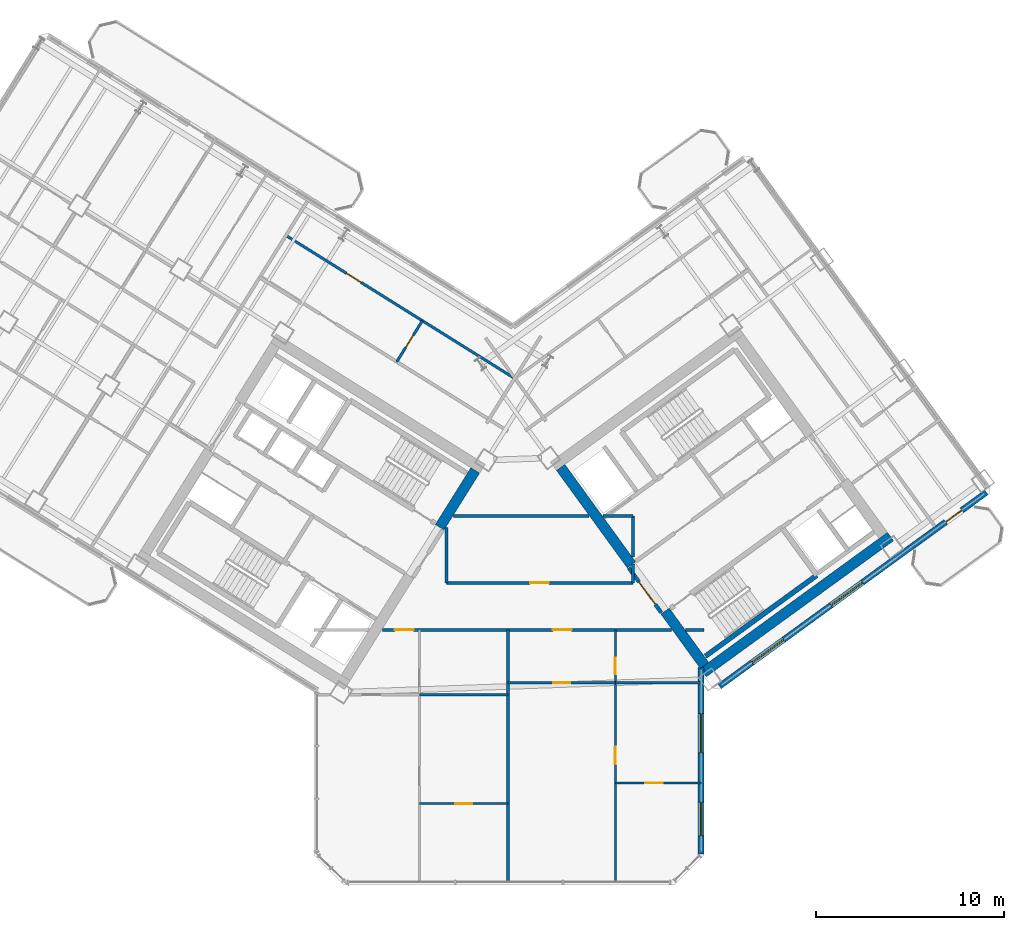
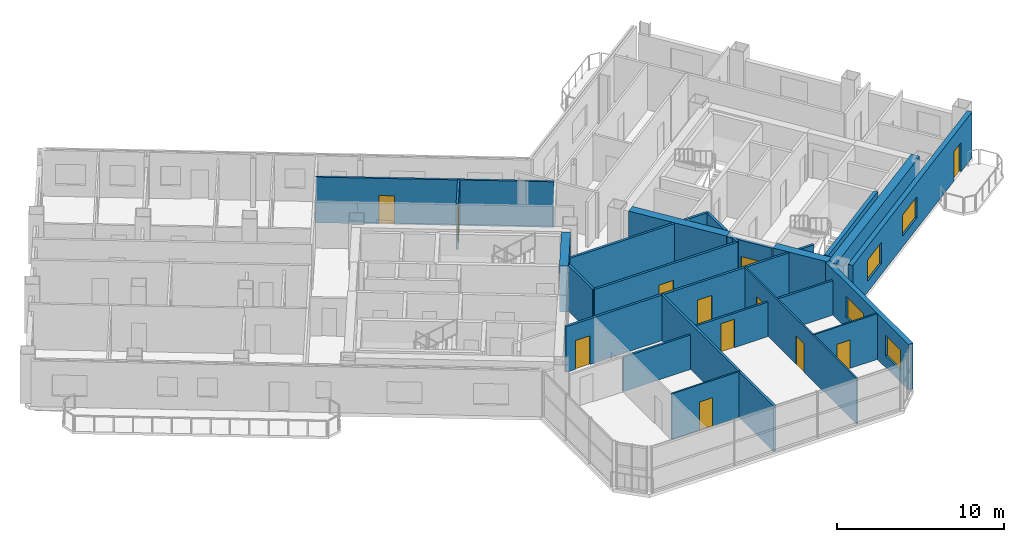
# One storey, part 13 of 21: 25 walls, 12 doors, 4 windows, 16 openings.
"""IFC4 building model written with IfcOpenShell, lengths in metres."""

from ifc_helpers import new_model, si_unit, direction, frame, frame_2d, origin, place, context, subcontext, project, spatial, rectangle, extrude, source, transform, mapped, material, layer, layer_set, type_object, element, fill, save


model = new_model("IFC4")

# Units and contexts
model_context = context("Model", 3, precision=1e-05, world=origin(), true_north=direction((0.0, 1.0)))
body_context = subcontext(model_context, "Body", "Model", "MODEL_VIEW")
ifc_project = project(units=[si_unit("LENGTHUNIT", "METRE"), si_unit("AREAUNIT", "SQUARE_METRE"), si_unit("VOLUMEUNIT", "CUBIC_METRE"), si_unit("PLANEANGLEUNIT", "RADIAN"), si_unit("MASSUNIT", "GRAM", prefix="KILO")], contexts=[model_context])

# Site, building, storey
site_placement = place(None, origin())
site = spatial("IfcSite", under=ifc_project, at=site_placement, CompositionType="ELEMENT")
building_placement = place(site_placement, origin())
building = spatial("IfcBuilding", under=site, at=building_placement, Name="Tlacorven Tower", CompositionType="ELEMENT")
storey_placement = place(building_placement, frame((0.0, 0.0, 119.699951171875)))
storey = spatial("IfcBuildingStorey", under=building, at=storey_placement, Name="L30", CompositionType="ELEMENT", Elevation=119.699951171875)

# Walls
ifc_material_1 = material(Name="Concrete C60/75", Category="concrete")
ifc_layer_1 = layer(ifc_material_1, 0.550048828125)
ifc_layer_set_1 = layer_set([ifc_layer_1], Name="Concrete C60/75")
wall_type_1 = type_object("IfcWallType", Name="WL-COR-550", PredefinedType="SHEAR", material=ifc_layer_set_1)
wall_1_placement = place(storey_placement, frame((40.194091796875, 23.92236328125, 0.0), z_axis=(0.0, 0.0, 1.0), x_axis=(-0.529888438328, -0.848067357541, 0.0)))
element("IfcWall", 1, at=wall_1_placement, inside=storey, type_object=wall_type_1, Name="L30 W core end wall E1.1", PredefinedType="SHEAR", context=body_context, shape_type="SweptSolid", body=[
    extrude(rectangle(XDim=3.574951171875, YDim=0.550048828125, at=frame_2d((1.78759765625, 0.0))), origin(), (0.0, 0.0, 1.0), 3.35009765625),
])
wall_2_placement = place(storey_placement, frame((52.35888671875, 13.1396484375, 0.0), z_axis=(0.0, 0.0, 1.0), x_axis=(0.809014896919, 0.587788139183, 0.0)))
element("IfcWall", 2, at=wall_2_placement, inside=storey, type_object=wall_type_1, Name="L30 E core shear wall S1", PredefinedType="SHEAR", context=body_context, shape_type="SweptSolid", body=[
    extrude(rectangle(XDim=12.340087890625, YDim=0.550048828125, at=frame_2d((6.169921875, 0.0))), origin(), (0.0, 0.0, 1.0), 3.35009765625),
])
wall_3_placement = place(storey_placement, frame((52.419677734375, 13.52392578125, 0.0), z_axis=(0.0, 0.0, 1.0), x_axis=(-0.587802113096, 0.809004744015, 0.0)))
element("IfcWall", 3, at=wall_3_placement, inside=storey, type_object=wall_type_1, Name="L30 E core end wall E1.1", PredefinedType="SHEAR", context=body_context, shape_type="SweptSolid", body=[
    extrude(rectangle(XDim=3.574951171875, YDim=0.550048828125, at=frame_2d((1.78759765625, 0.0))), origin(), (0.0, 0.0, 1.0), 3.35009765625),
])
wall_4_placement = place(storey_placement, frame((48.525634765625, 18.883544921875, 0.0), z_axis=(0.0, 0.0, 1.0), x_axis=(-0.587764933797, 0.809031756236, 0.0)))
element("IfcWall", 4, at=wall_4_placement, inside=storey, type_object=wall_type_1, Name="L30 E core end wall E1.2", PredefinedType="SHEAR", context=body_context, shape_type="SweptSolid", body=[
    extrude(rectangle(XDim=6.425048828125, YDim=0.550048828125, at=frame_2d((3.21240234375, 0.0))), origin(), (0.0, 0.0, 1.0), 3.35009765625),
])

# Wall, openings, doors
ifc_material_2 = material(Name="Gypsum plasterboard acoustic partition", Category="gypsum")
ifc_layer_2 = layer(ifc_material_2, 0.159912109375)
ifc_layer_set_2 = layer_set([ifc_layer_2], Name="Gypsum plasterboard acoustic partition")
wall_type_2 = type_object("IfcWallType", Name="WL-DEM-160", PredefinedType="PARTITIONING", material=ifc_layer_set_2)
wall_5_placement = place(storey_placement, frame((35.2373046875, 15.419921875, 0.0), z_axis=(0.0, 0.0, 1.0), x_axis=(1.0, 0.0, 0.0)))
wall_5 = element("IfcWall", 5, at=wall_5_placement, inside=storey, type_object=wall_type_2, Name="L30 Knuckle Corridor South Wall", PredefinedType="PARTITIONING", context=body_context, shape_type="SweptSolid", body=[
    extrude(rectangle(XDim=15.431640625, YDim=0.159912109375, at=frame_2d((7.7158203125, 0.0))), origin(), (0.0, 0.0, 1.0), 3.340087890625),
])
opening_1_placement = place(wall_5_placement, frame((0.673583984375, 0.0, 0.0)))
opening_1 = element("IfcOpeningElement", 6, at=opening_1_placement, cuts=wall_5, Name="Opening D11", PredefinedType="OPENING", context=body_context, shape_type="SweptSolid", body=[
    extrude(rectangle(XDim=1.0, YDim=2.10009765625, at=frame_2d((0.5, 1.050048828125))), frame((0.0, 0.08984375, 0.0), z_axis=(0.0, -1.0, 0.0), x_axis=(1.0, 0.0, 0.0)), (0.0, 0.0, 1.0), 0.179931640625),
])
opening_2_placement = place(wall_5_placement, frame((9.093994140625, 0.0, 0.0)))
opening_2 = element("IfcOpeningElement", 7, at=opening_2_placement, cuts=wall_5, Name="Opening D11", PredefinedType="OPENING", context=body_context, shape_type="SweptSolid", body=[
    extrude(rectangle(XDim=1.0, YDim=2.10009765625, at=frame_2d((0.5, 1.050048828125))), frame((0.0, 0.08984375, 0.0), z_axis=(0.0, -1.0, 0.0), x_axis=(1.0, 0.0, 0.0)), (0.0, 0.0, 1.0), 0.179931640625),
])
ifc_material_3 = material(Name="Fire-rated steel door assembly", Category="steel")
door_type_1 = type_object("IfcDoorType", Name="DR-FLT-FD60-1000", OperationType="NOTDEFINED", PredefinedType="DOOR", material=ifc_material_3)
shared_shape_1 = source(origin(), body_context, "Body", "SweptSolid", [
    extrude(rectangle(XDim=1.0, YDim=2.10009765625, at=frame_2d((0.5, 1.050048828125))), frame((0.0, 0.02490234375, 0.0), z_axis=(0.0, -1.0, 0.0), x_axis=(1.0, 0.0, 0.0)), (0.0, 0.0, 1.0), 0.050048828125),
])
door_1_placement = place(opening_1_placement, frame((1.0, 0.0, 0.0), z_axis=(0.0, 0.0, 1.0), x_axis=(-1.0, 0.0, 0.0)))
door_1 = element("IfcDoor", 8, at=door_1_placement, inside=storey, type_object=door_type_1, Name="L30 door 048", OperationType="SINGLE_SWING_LEFT", OverallHeight=2.10009765625, OverallWidth=1.0, PredefinedType="DOOR", context=body_context, shape_type="MappedRepresentation", body=[
    mapped(shared_shape_1, transform((0.0, 0.0, 0.0), scale=1.0)),
])
fill(opening_1, door_1)
door_2_placement = place(opening_2_placement, frame((1.0, 0.0, 0.0), z_axis=(0.0, 0.0, 1.0), x_axis=(-1.0, 0.0, 0.0)))
door_2 = element("IfcDoor", 9, at=door_2_placement, inside=storey, type_object=door_type_1, Name="L30 door 053", OperationType="SINGLE_SWING_RIGHT", OverallHeight=2.10009765625, OverallWidth=1.0, PredefinedType="DOOR", context=body_context, shape_type="MappedRepresentation", body=[
    mapped(shared_shape_1, transform((0.0, 0.0, 0.0), scale=1.0)),
])
fill(opening_2, door_2)

# Wall
wall_6_placement = place(storey_placement, frame((51.41552734375, 15.419921875, 0.0), z_axis=(0.0, 0.0, 1.0), x_axis=(1.0, 0.0, 0.0)))
element("IfcWall", 10, at=wall_6_placement, inside=storey, type_object=wall_type_2, Name="L30 Knuckle Corridor South Wall", PredefinedType="PARTITIONING", context=body_context, shape_type="SweptSolid", body=[
    extrude(rectangle(XDim=0.984375, YDim=0.159912109375, at=frame_2d((0.4921875, 0.0))), origin(), (0.0, 0.0, 1.0), 3.340087890625),
])

# Wall, opening, door
wall_7_placement = place(storey_placement, frame((38.64990234375, 17.929931640625, 0.0), z_axis=(0.0, 0.0, 1.0), x_axis=(1.0, 0.0, 0.0)))
wall_7 = element("IfcWall", 11, at=wall_7_placement, inside=storey, type_object=wall_type_2, Name="L30 partition 72", PredefinedType="PARTITIONING", context=body_context, shape_type="SweptSolid", body=[
    extrude(rectangle(XDim=9.9501953125, YDim=0.159912109375, at=frame_2d((4.97509765625, 0.0))), origin(), (0.0, 0.0, 1.0), 3.340087890625),
])
opening_3_placement = place(wall_7_placement, frame((4.47509765625, 0.0, 0.0)))
opening_3 = element("IfcOpeningElement", 12, at=opening_3_placement, cuts=wall_7, Name="Opening D11", PredefinedType="OPENING", context=body_context, shape_type="SweptSolid", body=[
    extrude(rectangle(XDim=1.0, YDim=2.10009765625, at=frame_2d((0.5, 1.050048828125))), frame((0.0, 0.08984375, 0.0), z_axis=(0.0, -1.0, 0.0), x_axis=(1.0, 0.0, 0.0)), (0.0, 0.0, 1.0), 0.179931640625),
])
door_3_placement = place(opening_3_placement, origin())
door_3 = element("IfcDoor", 13, at=door_3_placement, inside=storey, type_object=door_type_1, Name="L30 door 043", OperationType="SINGLE_SWING_RIGHT", OverallHeight=2.10009765625, OverallWidth=1.0, PredefinedType="DOOR", context=body_context, shape_type="MappedRepresentation", body=[
    mapped(shared_shape_1, transform((0.0, 0.0, 0.0), scale=1.0)),
])
fill(opening_3, door_3)

# Walls
wall_8_placement = place(storey_placement, frame((38.64990234375, 17.929931640625, 0.0), z_axis=(0.0, 0.0, 1.0), x_axis=(0.0, 1.0, 0.0)))
element("IfcWall", 14, at=wall_8_placement, inside=storey, type_object=wall_type_2, Name="L30 partition 73", PredefinedType="PARTITIONING", context=body_context, shape_type="SweptSolid", body=[
    extrude(rectangle(XDim=2.951416015625, YDim=0.159912109375, at=frame_2d((1.4755859375, 0.0))), origin(), (0.0, 0.0, 1.0), 3.340087890625),
])
wall_9_placement = place(storey_placement, frame((48.60009765625, 17.929931640625, 0.0), z_axis=(0.0, 0.0, 1.0), x_axis=(0.0, 1.0, 0.0)))
element("IfcWall", 15, at=wall_9_placement, inside=storey, type_object=wall_type_2, Name="L30 partition 74", PredefinedType="PARTITIONING", context=body_context, shape_type="SweptSolid", body=[
    extrude(rectangle(XDim=0.99267578125, YDim=0.159912109375, at=frame_2d((0.496337890625, 0.0))), origin(), (0.0, 0.0, 1.0), 3.340087890625),
])
wall_10_placement = place(storey_placement, frame((48.60009765625, 19.295166015625, 0.0), z_axis=(0.0, 0.0, 1.0), x_axis=(0.0, 1.0, 0.0)))
element("IfcWall", 16, at=wall_10_placement, inside=storey, type_object=wall_type_2, Name="L30 partition 74", PredefinedType="PARTITIONING", context=body_context, shape_type="SweptSolid", body=[
    extrude(rectangle(XDim=2.204833984375, YDim=0.159912109375, at=frame_2d((1.1025390625, 0.0))), origin(), (0.0, 0.0, 1.0), 3.340087890625),
])
wall_11_placement = place(storey_placement, frame((39.03662109375, 21.5, 0.0), z_axis=(0.0, 0.0, 1.0), x_axis=(1.0, 0.0, 0.0)))
element("IfcWall", 17, at=wall_11_placement, inside=storey, type_object=wall_type_2, Name="L30 partition 75", PredefinedType="PARTITIONING", context=body_context, shape_type="SweptSolid", body=[
    extrude(rectangle(XDim=7.21484375, YDim=0.159912109375, at=frame_2d((3.607421875, 0.0))), origin(), (0.0, 0.0, 1.0), 3.340087890625),
])
wall_12_placement = place(storey_placement, frame((46.998046875, 21.5, 0.0), z_axis=(0.0, 0.0, 1.0), x_axis=(1.0, 0.0, 0.0)))
element("IfcWall", 18, at=wall_12_placement, inside=storey, type_object=wall_type_2, Name="L30 partition 75", PredefinedType="PARTITIONING", context=body_context, shape_type="SweptSolid", body=[
    extrude(rectangle(XDim=1.60205078125, YDim=0.159912109375, at=frame_2d((0.801025390625, 0.0))), origin(), (0.0, 0.0, 1.0), 3.340087890625),
])
wall_13_placement = place(storey_placement, frame((41.949951171875, 1.9599609375, 0.0), z_axis=(0.0, 0.0, 1.0), x_axis=(0.0, 1.0, 0.0)))
element("IfcWall", 19, at=wall_13_placement, inside=storey, type_object=wall_type_2, Name="L30 Knuckle Demising Wall 1", PredefinedType="PARTITIONING", context=body_context, shape_type="SweptSolid", body=[
    extrude(rectangle(XDim=13.4599609375, YDim=0.159912109375, at=frame_2d((6.72998046875, 0.0))), origin(), (0.0, 0.0, 1.0), 3.340087890625),
])

# Wall, openings, door, windows
ifc_material_4 = material(Name="Precast concrete C45/55", Category="concrete")
ifc_layer_3 = layer(ifc_material_4, 0.320068359375)
ifc_layer_set_3 = layer_set([ifc_layer_3], Name="Precast concrete C45/55")
wall_type_3 = type_object("IfcWallType", Name="WL-EXT-320", PredefinedType="STANDARD", material=ifc_layer_set_3)
wall_14_placement = place(storey_placement, frame((67.45361328125, 22.746826171875, 0.0), z_axis=(0.0, 0.0, 1.0), x_axis=(-0.809021120468, -0.587779573171, 0.0)))
wall_14 = element("IfcWall", 20, at=wall_14_placement, inside=storey, type_object=wall_type_3, Name="L30 Masonry-Frame Recessed Facade Wall 6", PredefinedType="STANDARD", context=body_context, shape_type="SweptSolid", body=[
    extrude(rectangle(XDim=17.587646484375, YDim=0.320068359375, at=frame_2d((8.7939453125, 0.0))), origin(), (0.0, 0.0, 1.0), 3.35009765625),
])
opening_4_placement = place(wall_14_placement, frame((1.623779296875, 0.0, 0.0)))
opening_4 = element("IfcOpeningElement", 21, at=opening_4_placement, cuts=wall_14, Name="Opening D06", PredefinedType="OPENING", context=body_context, shape_type="SweptSolid", body=[
    extrude(rectangle(XDim=1.050048828125, YDim=2.14990234375, at=frame_2d((0.52490234375, 1.074951171875))), frame((0.0, 0.169921875, 0.0), z_axis=(0.0, -1.0, 0.0), x_axis=(1.0, 0.0, 0.0)), (0.0, 0.0, 1.0), 0.340087890625),
])
opening_5_placement = place(wall_14_placement, frame((8.143798828125, 0.0, 0.800048828125)))
opening_5 = element("IfcOpeningElement", 22, at=opening_5_placement, cuts=wall_14, Name="Opening WN04", PredefinedType="OPENING", context=body_context, shape_type="SweptSolid", body=[
    extrude(rectangle(XDim=2.10009765625, YDim=1.550048828125, at=frame_2d((1.050048828125, 0.77490234375))), frame((0.0, 0.169921875, 0.0), z_axis=(0.0, -1.0, 0.0), x_axis=(1.0, 0.0, 0.0)), (0.0, 0.0, 1.0), 0.340087890625),
])
opening_6_placement = place(wall_14_placement, frame((13.34375, 0.0, 0.800048828125)))
opening_6 = element("IfcOpeningElement", 23, at=opening_6_placement, cuts=wall_14, Name="Opening WN04", PredefinedType="OPENING", context=body_context, shape_type="SweptSolid", body=[
    extrude(rectangle(XDim=2.10009765625, YDim=1.550048828125, at=frame_2d((1.050048828125, 0.77490234375))), frame((0.0, 0.169921875, 0.0), z_axis=(0.0, -1.0, 0.0), x_axis=(1.0, 0.0, 0.0)), (0.0, 0.0, 1.0), 0.340087890625),
])
ifc_material_5 = material(Name="Powder-coated aluminium and timber door", Category="wood")
door_type_2 = type_object("IfcDoorType", Name="DR-EXT-BALC-1050", OperationType="NOTDEFINED", PredefinedType="DOOR", material=ifc_material_5)
shared_shape_2 = source(origin(), body_context, "Body", "SweptSolid", [
    extrude(rectangle(XDim=1.050048828125, YDim=2.14990234375, at=frame_2d((0.52490234375, 1.074951171875))), frame((0.0, 0.02490234375, 0.0), z_axis=(0.0, -1.0, 0.0), x_axis=(1.0, 0.0, 0.0)), (0.0, 0.0, 1.0), 0.050048828125),
])
door_4_placement = place(opening_4_placement, origin())
door_4 = element("IfcDoor", 24, at=door_4_placement, inside=storey, type_object=door_type_2, Name="L30 Outdoor Access Door BAL-L30-E-OUT", OperationType="SINGLE_SWING_LEFT", OverallHeight=2.14990234375, OverallWidth=1.050048828125, PredefinedType="DOOR", context=body_context, shape_type="MappedRepresentation", body=[
    mapped(shared_shape_2, transform((0.0, 0.0, 0.0), scale=1.0)),
])
fill(opening_4, door_4)
ifc_material_6 = material(Name="Dark solar low-E double glazing in anodised aluminium frame", Category="aluminium")
window_type_1 = type_object("IfcWindowType", Name="WN-APT-2100X1750", PartitioningType="SINGLE_PANEL", PredefinedType="WINDOW", material=ifc_material_6)
shared_shape_3 = source(origin(), body_context, "Body", "SweptSolid", [
    extrude(rectangle(XDim=2.10009765625, YDim=1.550048828125, at=frame_2d((1.050048828125, 0.77490234375))), frame((0.0, 0.030029296875, 0.0), z_axis=(0.0, -1.0, 0.0), x_axis=(1.0, 0.0, 0.0)), (0.0, 0.0, 1.0), 0.06005859375),
])
window_1_placement = place(opening_5_placement, origin())
window_1 = element("IfcWindow", 25, at=window_1_placement, inside=storey, type_object=window_type_1, Name="L30 Recessed Masonry-Frame Window L30-06.1", OverallHeight=1.550048828125, OverallWidth=2.10009765625, PartitioningType="SINGLE_PANEL", PredefinedType="WINDOW", context=body_context, shape_type="MappedRepresentation", body=[
    mapped(shared_shape_3, transform((0.0, 0.0, 0.0), scale=1.0)),
])
fill(opening_5, window_1)
window_2_placement = place(opening_6_placement, origin())
window_2 = element("IfcWindow", 26, at=window_2_placement, inside=storey, type_object=window_type_1, Name="L30 Recessed Masonry-Frame Window L30-06.2", OverallHeight=1.550048828125, OverallWidth=2.10009765625, PartitioningType="SINGLE_PANEL", PredefinedType="WINDOW", context=body_context, shape_type="MappedRepresentation", body=[
    mapped(shared_shape_3, transform((0.0, 0.0, 0.0), scale=1.0)),
])
fill(opening_6, window_2)

# Wall, openings, windows
wall_15_placement = place(storey_placement, frame((52.239990234375, 13.4140625, 0.0), z_axis=(0.0, 0.0, 1.0), x_axis=(0.0, -1.0, 0.0)))
wall_15 = element("IfcWall", 27, at=wall_15_placement, inside=storey, type_object=wall_type_3, Name="L30 Masonry-Frame Recessed Facade Wall 7", PredefinedType="STANDARD", context=body_context, shape_type="SweptSolid", body=[
    extrude(rectangle(XDim=9.94775390625, YDim=0.320068359375, at=frame_2d((4.973876953125, 0.0))), origin(), (0.0, 0.0, 1.0), 3.35009765625),
])
opening_7_placement = place(wall_15_placement, frame((2.4599609375, 0.0, 0.800048828125)))
opening_7 = element("IfcOpeningElement", 28, at=opening_7_placement, cuts=wall_15, Name="Opening WN04", PredefinedType="OPENING", context=body_context, shape_type="SweptSolid", body=[
    extrude(rectangle(XDim=2.10009765625, YDim=1.550048828125, at=frame_2d((1.050048828125, 0.77490234375))), frame((0.0, 0.169921875, 0.0), z_axis=(0.0, -1.0, 0.0), x_axis=(1.0, 0.0, 0.0)), (0.0, 0.0, 1.0), 0.340087890625),
])
opening_8_placement = place(wall_15_placement, frame((7.183349609375, 0.0, 0.85009765625)))
opening_8 = element("IfcOpeningElement", 29, at=opening_8_placement, cuts=wall_15, Name="Opening WN01", PredefinedType="OPENING", context=body_context, shape_type="SweptSolid", body=[
    extrude(rectangle(XDim=1.800048828125, YDim=1.5, at=frame_2d((0.89990234375, 0.75))), frame((0.0, 0.169921875, 0.0), z_axis=(0.0, -1.0, 0.0), x_axis=(1.0, 0.0, 0.0)), (0.0, 0.0, 1.0), 0.340087890625),
])
window_3_placement = place(opening_7_placement, origin())
window_3 = element("IfcWindow", 30, at=window_3_placement, inside=storey, type_object=window_type_1, Name="L30 Recessed Masonry-Frame Window L30-07.1", OverallHeight=1.550048828125, OverallWidth=2.10009765625, PartitioningType="SINGLE_PANEL", PredefinedType="WINDOW", context=body_context, shape_type="MappedRepresentation", body=[
    mapped(shared_shape_3, transform((0.0, 0.0, 0.0), scale=1.0)),
])
fill(opening_7, window_3)
window_type_2 = type_object("IfcWindowType", Name="WN-APT-1800X1650", PartitioningType="SINGLE_PANEL", PredefinedType="WINDOW", material=ifc_material_6)
shared_shape_4 = source(origin(), body_context, "Body", "SweptSolid", [
    extrude(rectangle(XDim=1.800048828125, YDim=1.5, at=frame_2d((0.89990234375, 0.75))), frame((0.0, 0.030029296875, 0.0), z_axis=(0.0, -1.0, 0.0), x_axis=(1.0, 0.0, 0.0)), (0.0, 0.0, 1.0), 0.06005859375),
])
window_4_placement = place(opening_8_placement, origin())
window_4 = element("IfcWindow", 31, at=window_4_placement, inside=storey, type_object=window_type_2, Name="L30 Recessed Masonry-Frame Window L30-07.2", OverallHeight=1.5, OverallWidth=1.800048828125, PartitioningType="SINGLE_PANEL", PredefinedType="WINDOW", context=body_context, shape_type="MappedRepresentation", body=[
    mapped(shared_shape_4, transform((0.0, 0.0, 0.0), scale=1.0)),
])
fill(opening_8, window_4)

# Wall, opening, door
ifc_material_7 = material(Name="Gypsum plasterboard partition", Category="gypsum")
ifc_layer_4 = layer(ifc_material_7, 0.110107421875)
ifc_layer_set_4 = layer_set([ifc_layer_4], Name="Gypsum plasterboard partition")
wall_type_4 = type_object("IfcWallType", Name="WL-INT-110", PredefinedType="PARTITIONING", material=ifc_layer_set_4)
wall_16_placement = place(storey_placement, frame((37.221923828125, 6.14990234375, 0.0), z_axis=(0.0, 0.0, 1.0), x_axis=(1.0, 0.0, 0.0)))
wall_16 = element("IfcWall", 32, at=wall_16_placement, inside=storey, type_object=wall_type_4, Name="L30 partition 81", PredefinedType="PARTITIONING", context=body_context, shape_type="SweptSolid", body=[
    extrude(rectangle(XDim=4.72802734375, YDim=0.110107421875, at=frame_2d((2.364013671875, 0.0))), origin(), (0.0, 0.0, 1.0), 3.340087890625),
])
opening_9_placement = place(wall_16_placement, frame((1.904052734375, 0.0, 0.0)))
opening_9 = element("IfcOpeningElement", 33, at=opening_9_placement, cuts=wall_16, Name="Opening D12", PredefinedType="OPENING", context=body_context, shape_type="SweptSolid", body=[
    extrude(rectangle(XDim=0.919921875, YDim=2.080078125, at=frame_2d((0.4599609375, 1.0400390625))), frame((0.0, 0.06494140625, 0.0), z_axis=(0.0, -1.0, 0.0), x_axis=(1.0, 0.0, 0.0)), (0.0, 0.0, 1.0), 0.130126953125),
])
door_type_3 = type_object("IfcDoorType", Name="DR-INT-ROOM-0920", OperationType="NOTDEFINED", PredefinedType="DOOR", material=ifc_material_5)
shared_shape_5 = source(origin(), body_context, "Body", "SweptSolid", [
    extrude(rectangle(XDim=0.919921875, YDim=2.080078125, at=frame_2d((0.4599609375, 1.0400390625))), frame((0.0, 0.02490234375, 0.0), z_axis=(0.0, -1.0, 0.0), x_axis=(1.0, 0.0, 0.0)), (0.0, 0.0, 1.0), 0.050048828125),
])
door_5_placement = place(opening_9_placement, origin())
door_5 = element("IfcDoor", 34, at=door_5_placement, inside=storey, type_object=door_type_3, Name="L30 door 047", OperationType="SINGLE_SWING_RIGHT", OverallHeight=2.080078125, OverallWidth=0.919921875, PredefinedType="DOOR", context=body_context, shape_type="MappedRepresentation", body=[
    mapped(shared_shape_5, transform((0.0, 0.0, 0.0), scale=1.0)),
])
fill(opening_9, door_5)

# Wall, openings, doors
wall_17_placement = place(storey_placement, frame((47.6630859375, 1.9599609375, 0.0), z_axis=(0.0, 0.0, 1.0), x_axis=(0.0, 1.0, 0.0)))
wall_17 = element("IfcWall", 35, at=wall_17_placement, inside=storey, type_object=wall_type_4, Name="L30 partition 82", PredefinedType="PARTITIONING", context=body_context, shape_type="SweptSolid", body=[
    extrude(rectangle(XDim=13.4599609375, YDim=0.110107421875, at=frame_2d((6.72998046875, 0.0))), origin(), (0.0, 0.0, 1.0), 3.340087890625),
])
opening_10_placement = place(wall_17_placement, frame((6.300048828125, 0.0, 0.0)))
opening_10 = element("IfcOpeningElement", 36, at=opening_10_placement, cuts=wall_17, Name="Opening D12", PredefinedType="OPENING", context=body_context, shape_type="SweptSolid", body=[
    extrude(rectangle(XDim=0.919921875, YDim=2.080078125, at=frame_2d((0.4599609375, 1.0400390625))), frame((0.0, 0.06494140625, 0.0), z_axis=(0.0, -1.0, 0.0), x_axis=(1.0, 0.0, 0.0)), (0.0, 0.0, 1.0), 0.130126953125),
])
opening_11_placement = place(wall_17_placement, frame((11.10009765625, 0.0, 0.0)))
opening_11 = element("IfcOpeningElement", 37, at=opening_11_placement, cuts=wall_17, Name="Opening D13", PredefinedType="OPENING", context=body_context, shape_type="SweptSolid", body=[
    extrude(rectangle(XDim=0.8798828125, YDim=2.080078125, at=frame_2d((0.43994140625, 1.0400390625))), frame((0.0, 0.06494140625, 0.0), z_axis=(0.0, -1.0, 0.0), x_axis=(1.0, 0.0, 0.0)), (0.0, 0.0, 1.0), 0.130126953125),
])
door_type_4 = type_object("IfcDoorType", Name="DR-INT-WET-0880", OperationType="NOTDEFINED", PredefinedType="DOOR", material=ifc_material_5)
shared_shape_6 = source(origin(), body_context, "Body", "SweptSolid", [
    extrude(rectangle(XDim=0.8798828125, YDim=2.080078125, at=frame_2d((0.43994140625, 1.0400390625))), frame((0.0, 0.02490234375, 0.0), z_axis=(0.0, -1.0, 0.0), x_axis=(1.0, 0.0, 0.0)), (0.0, 0.0, 1.0), 0.050048828125),
])
door_6_placement = place(opening_11_placement, origin())
door_6 = element("IfcDoor", 38, at=door_6_placement, inside=storey, type_object=door_type_4, Name="L30 door 055", OperationType="SINGLE_SWING_RIGHT", OverallHeight=2.080078125, OverallWidth=0.8798828125, PredefinedType="DOOR", context=body_context, shape_type="MappedRepresentation", body=[
    mapped(shared_shape_6, transform((0.0, 0.0, 0.0), scale=1.0)),
])
fill(opening_11, door_6)
door_7_placement = place(opening_10_placement, origin())
door_7 = element("IfcDoor", 39, at=door_7_placement, inside=storey, type_object=door_type_3, Name="L30 door 051", OperationType="SINGLE_SWING_RIGHT", OverallHeight=2.080078125, OverallWidth=0.919921875, PredefinedType="DOOR", context=body_context, shape_type="MappedRepresentation", body=[
    mapped(shared_shape_5, transform((0.0, 0.0, 0.0), scale=1.0)),
])
fill(opening_10, door_7)

# Wall, opening, door
wall_18_placement = place(storey_placement, frame((47.6630859375, 7.25, 0.0), z_axis=(0.0, 0.0, 1.0), x_axis=(1.0, 0.0, 0.0)))
wall_18 = element("IfcWall", 40, at=wall_18_placement, inside=storey, type_object=wall_type_4, Name="L30 partition 85", PredefinedType="PARTITIONING", context=body_context, shape_type="SweptSolid", body=[
    extrude(rectangle(XDim=4.596923828125, YDim=0.110107421875, at=frame_2d((2.29833984375, 0.0))), origin(), (0.0, 0.0, 1.0), 3.340087890625),
])
opening_12_placement = place(wall_18_placement, frame((1.6083984375, 0.0, 0.0)))
opening_12 = element("IfcOpeningElement", 41, at=opening_12_placement, cuts=wall_18, Name="Opening D12", PredefinedType="OPENING", context=body_context, shape_type="SweptSolid", body=[
    extrude(rectangle(XDim=0.919921875, YDim=2.080078125, at=frame_2d((0.4599609375, 1.0400390625))), frame((0.0, 0.06494140625, 0.0), z_axis=(0.0, -1.0, 0.0), x_axis=(1.0, 0.0, 0.0)), (0.0, 0.0, 1.0), 0.130126953125),
])
door_8_placement = place(opening_12_placement, origin())
door_8 = element("IfcDoor", 42, at=door_8_placement, inside=storey, type_object=door_type_3, Name="L30 door 052", OperationType="SINGLE_SWING_LEFT", OverallHeight=2.080078125, OverallWidth=0.919921875, PredefinedType="DOOR", context=body_context, shape_type="MappedRepresentation", body=[
    mapped(shared_shape_5, transform((0.0, 0.0, 0.0), scale=1.0)),
])
fill(opening_12, door_8)

ifc_material_8 = material(Name="Moisture-resistant gypsum plumbing wall", Category="gypsum")
ifc_layer_5 = layer(ifc_material_8, 0.139892578125)
ifc_layer_set_5 = layer_set([ifc_layer_5], Name="Moisture-resistant gypsum plumbing wall")
wall_type_5 = type_object("IfcWallType", Name="WL-PLM-140", PredefinedType="PLUMBINGWALL", material=ifc_layer_set_5)
wall_19_placement = place(storey_placement, frame((42.226318359375, 28.872802734375, 0.0), z_axis=(0.0, 0.0, 1.0), x_axis=(-0.848049134363, 0.529917602752, 0.0)))
wall_19 = element("IfcWall", 43, at=wall_19_placement, inside=storey, type_object=wall_type_5, Name="L30 partition 68", PredefinedType="PLUMBINGWALL", context=body_context, shape_type="SweptSolid", body=[
    extrude(rectangle(XDim=14.300048828125, YDim=0.139892578125, at=frame_2d((7.14990234375, 0.0))), origin(), (0.0, 0.0, 1.0), 3.340087890625),
])
opening_13_placement = place(wall_19_placement, frame((9.570068359375, 0.0, 0.0)))
opening_13 = element("IfcOpeningElement", 44, at=opening_13_placement, cuts=wall_19, Name="Opening D12", PredefinedType="OPENING", context=body_context, shape_type="SweptSolid", body=[
    extrude(rectangle(XDim=0.919921875, YDim=2.080078125, at=frame_2d((0.4599609375, 1.0400390625))), frame((0.0, 0.080078125, 0.0), z_axis=(0.0, -1.0, 0.0), x_axis=(1.0, 0.0, 0.0)), (0.0, 0.0, 1.0), 0.159912109375),
])
door_9_placement = place(opening_13_placement, origin())
door_9 = element("IfcDoor", 45, at=door_9_placement, inside=storey, type_object=door_type_3, Name="L30 door 041", OperationType="SINGLE_SWING_RIGHT", OverallHeight=2.080078125, OverallWidth=0.919921875, PredefinedType="DOOR", context=body_context, shape_type="MappedRepresentation", body=[
    mapped(shared_shape_5, transform((0.0, 0.0, 0.0), scale=1.0)),
])
fill(opening_13, door_9)

wall_20_placement = place(storey_placement, frame((37.37548828125, 31.904052734375, 0.0), z_axis=(0.0, 0.0, 1.0), x_axis=(-0.529913878929, -0.848051461244, 0.0)))
wall_20 = element("IfcWall", 46, at=wall_20_placement, inside=storey, type_object=wall_type_5, Name="L30 partition 69", PredefinedType="PLUMBINGWALL", context=body_context, shape_type="SweptSolid", body=[
    extrude(rectangle(XDim=2.580078125, YDim=0.139892578125, at=frame_2d((1.2900390625, 0.0))), origin(), (0.0, 0.0, 1.0), 3.340087890625),
])
opening_14_placement = place(wall_20_placement, frame((0.89990234375, 0.0, 0.0)))
opening_14 = element("IfcOpeningElement", 47, at=opening_14_placement, cuts=wall_20, Name="Opening D22", PredefinedType="OPENING", context=body_context, shape_type="SweptSolid", body=[
    extrude(rectangle(XDim=0.780029296875, YDim=2.050048828125, at=frame_2d((0.39013671875, 1.02490234375))), frame((0.0, 0.080078125, 0.0), z_axis=(0.0, -1.0, 0.0), x_axis=(1.0, 0.0, 0.0)), (0.0, 0.0, 1.0), 0.159912109375),
])
door_type_5 = type_object("IfcDoorType", Name="DR-INT-WET-0780", OperationType="NOTDEFINED", PredefinedType="DOOR", material=ifc_material_5)
shared_shape_7 = source(origin(), body_context, "Body", "SweptSolid", [
    extrude(rectangle(XDim=0.780029296875, YDim=2.050048828125, at=frame_2d((0.39013671875, 1.02490234375))), frame((0.0, 0.02490234375, 0.0), z_axis=(0.0, -1.0, 0.0), x_axis=(1.0, 0.0, 0.0)), (0.0, 0.0, 1.0), 0.050048828125),
])
door_10_placement = place(opening_14_placement, origin())
door_10 = element("IfcDoor", 48, at=door_10_placement, inside=storey, type_object=door_type_5, Name="L30 door 042", OperationType="SINGLE_SWING_LEFT", OverallHeight=2.050048828125, OverallWidth=0.780029296875, PredefinedType="DOOR", context=body_context, shape_type="MappedRepresentation", body=[
    mapped(shared_shape_7, transform((0.0, 0.0, 0.0), scale=1.0)),
])
fill(opening_14, door_10)

# Wall
wall_21_placement = place(storey_placement, frame((37.221923828125, 11.949951171875, 0.0), z_axis=(0.0, 0.0, 1.0), x_axis=(1.0, 0.0, 0.0)))
element("IfcWall", 49, at=wall_21_placement, inside=storey, type_object=wall_type_5, Name="L30 partition 80", PredefinedType="PLUMBINGWALL", context=body_context, shape_type="SweptSolid", body=[
    extrude(rectangle(XDim=4.72802734375, YDim=0.139892578125, at=frame_2d((2.364013671875, 0.0))), origin(), (0.0, 0.0, 1.0), 2.525146484375),
])

# Wall, opening, door
wall_22_placement = place(storey_placement, frame((41.949951171875, 12.60009765625, 0.0), z_axis=(0.0, 0.0, 1.0), x_axis=(1.0, 0.0, 0.0)))
wall_22 = element("IfcWall", 50, at=wall_22_placement, inside=storey, type_object=wall_type_5, Name="L30 partition 83", PredefinedType="PLUMBINGWALL", context=body_context, shape_type="SweptSolid", body=[
    extrude(rectangle(XDim=5.713134765625, YDim=0.139892578125, at=frame_2d((2.8564453125, 0.0))), origin(), (0.0, 0.0, 1.0), 2.525146484375),
])
opening_15_placement = place(wall_22_placement, frame((2.396484375, 0.0, 0.0)))
opening_15 = element("IfcOpeningElement", 51, at=opening_15_placement, cuts=wall_22, Name="Opening D12", PredefinedType="OPENING", context=body_context, shape_type="SweptSolid", body=[
    extrude(rectangle(XDim=0.919921875, YDim=2.080078125, at=frame_2d((0.4599609375, 1.0400390625))), frame((0.0, 0.080078125, 0.0), z_axis=(0.0, -1.0, 0.0), x_axis=(1.0, 0.0, 0.0)), (0.0, 0.0, 1.0), 0.159912109375),
])
door_11_placement = place(opening_15_placement, frame((0.919921875, 0.0, 0.0), z_axis=(0.0, 0.0, 1.0), x_axis=(-1.0, 0.0, 0.0)))
door_11 = element("IfcDoor", 52, at=door_11_placement, inside=storey, type_object=door_type_3, Name="L30 door 054", OperationType="SINGLE_SWING_LEFT", OverallHeight=2.080078125, OverallWidth=0.919921875, PredefinedType="DOOR", context=body_context, shape_type="MappedRepresentation", body=[
    mapped(shared_shape_5, transform((0.0, 0.0, 0.0), scale=1.0)),
])
fill(opening_15, door_11)

# Wall
wall_23_placement = place(storey_placement, frame((47.6630859375, 12.60009765625, 0.0), z_axis=(0.0, 0.0, 1.0), x_axis=(1.0, 0.0, 0.0)))
element("IfcWall", 53, at=wall_23_placement, inside=storey, type_object=wall_type_5, Name="L30 partition 84", PredefinedType="PLUMBINGWALL", context=body_context, shape_type="SweptSolid", body=[
    extrude(rectangle(XDim=4.596923828125, YDim=0.139892578125, at=frame_2d((2.29833984375, 0.0))), origin(), (0.0, 0.0, 1.0), 2.525146484375),
])

# Wall, opening, door
ifc_material_9 = material(Name="Concrete C40/50", Category="concrete")
ifc_layer_6 = layer(ifc_material_9, 0.199951171875)
ifc_layer_set_6 = layer_set([ifc_layer_6], Name="Concrete C40/50")
wall_type_6 = type_object("IfcWallType", Name="WL-SHF-200", PredefinedType="STANDARD", material=ifc_layer_set_6)
wall_24_placement = place(storey_placement, frame((50.119140625, 16.3330078125, 0.0), z_axis=(0.0, 0.0, 1.0), x_axis=(-0.587749856981, 0.809042709391, 0.0)))
wall_24 = element("IfcWall", 54, at=wall_24_placement, inside=storey, type_object=wall_type_6, Name="L30 partition 76", PredefinedType="STANDARD", context=body_context, shape_type="SweptSolid", body=[
    extrude(rectangle(XDim=2.9599609375, YDim=0.199951171875, at=frame_2d((1.47998046875, 0.0))), origin(), (0.0, 0.0, 1.0), 3.340087890625),
])
opening_16_placement = place(wall_24_placement, frame((0.530029296875, 0.0, 0.0)))
opening_16 = element("IfcOpeningElement", 55, at=opening_16_placement, cuts=wall_24, Name="Opening D10", PredefinedType="OPENING", context=body_context, shape_type="SweptSolid", body=[
    extrude(rectangle(XDim=1.5, YDim=2.14990234375, at=frame_2d((0.75, 1.074951171875))), frame((0.0, 0.10986328125, 0.0), z_axis=(0.0, -1.0, 0.0), x_axis=(1.0, 0.0, 0.0)), (0.0, 0.0, 1.0), 0.219970703125),
])
door_type_6 = type_object("IfcDoorType", Name="DR-LOB-FD60-1500", OperationType="DOUBLE_DOOR_SINGLE_SWING", PredefinedType="DOOR", material=ifc_material_3)
shared_shape_8 = source(origin(), body_context, "Body", "SweptSolid", [
    extrude(rectangle(XDim=1.5, YDim=2.14990234375, at=frame_2d((0.75, 1.074951171875))), frame((0.0, 0.02490234375, 0.0), z_axis=(0.0, -1.0, 0.0), x_axis=(1.0, 0.0, 0.0)), (0.0, 0.0, 1.0), 0.050048828125),
])
door_12_placement = place(opening_16_placement, frame((1.5, 0.0, 0.0), z_axis=(0.0, 0.0, 1.0), x_axis=(-1.0, 0.0, 0.0)))
door_12 = element("IfcDoor", 56, at=door_12_placement, inside=storey, type_object=door_type_6, Name="L30 door 045", OperationType="DOUBLE_DOOR_SINGLE_SWING", OverallHeight=2.14990234375, OverallWidth=1.5, PredefinedType="DOOR", context=body_context, shape_type="MappedRepresentation", body=[
    mapped(shared_shape_8, transform((0.0, 0.0, 0.0), scale=1.0)),
])
fill(opening_16, door_12)

# Wall
ifc_material_10 = material(Name="Concrete C50/60", Category="concrete")
ifc_layer_7 = layer(ifc_material_10, 0.260009765625)
ifc_layer_set_7 = layer_set([ifc_layer_7], Name="Concrete C50/60")
wall_type_7 = type_object("IfcWallType", Name="WL-STW-260", PredefinedType="SHEAR", material=ifc_layer_set_7)
wall_25_placement = place(storey_placement, frame((52.47216796875, 14.01318359375, 0.0), z_axis=(0.0, 0.0, 1.0), x_axis=(0.809028366311, 0.587769599847, 0.0)))
element("IfcWall", 57, at=wall_25_placement, inside=storey, type_object=wall_type_7, Name="L30 Stair E2 Far Shear Wall", PredefinedType="SHEAR", context=body_context, shape_type="SweptSolid", body=[
    extrude(rectangle(XDim=7.330078125, YDim=0.260009765625, at=frame_2d((3.6650390625, 0.0))), origin(), (0.0, 0.0, 1.0), 3.35009765625),
])

save(model, "model.ifc")
